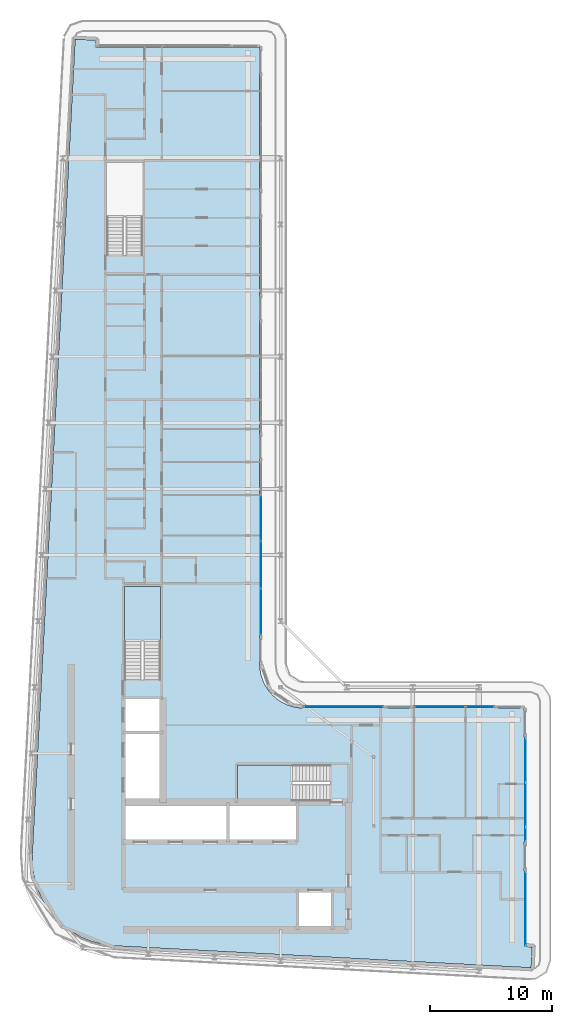
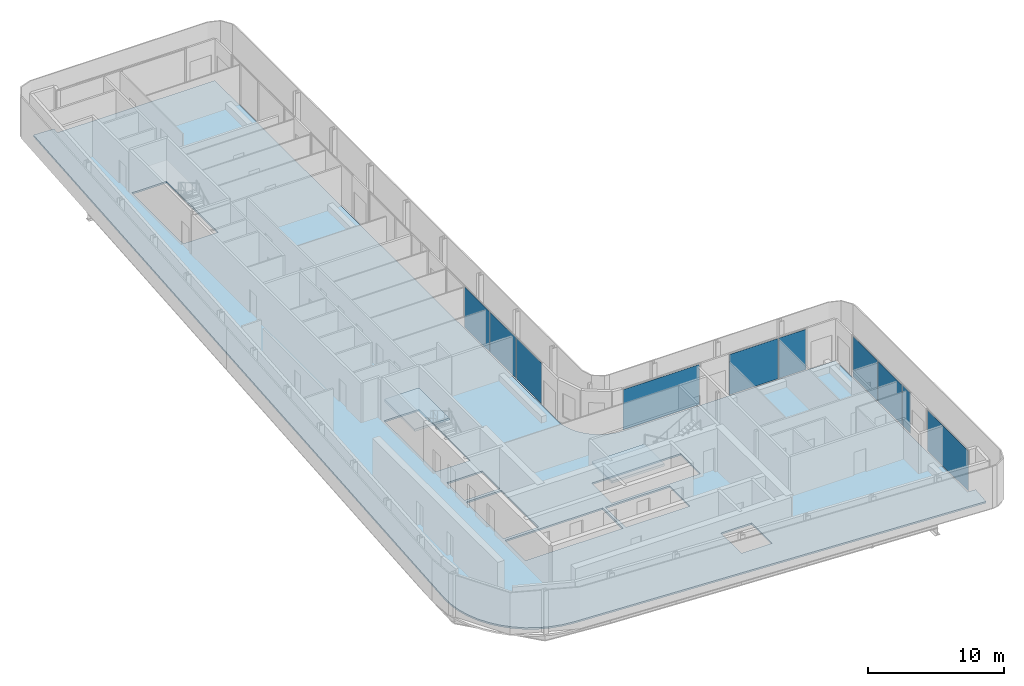
# One storey, part 9 of 21: 10 plates, 3 slabs, 9 elements without a shape of their own.
"""IFC4 building model written with IfcOpenShell, lengths in metres."""

import ifcopenshell
import ifcopenshell.guid

model = None  # the IFC model being written
_history = None  # IfcOwnerHistory: only IFC2X3 demands one
_inside = {}  # id of a spatial element -> (the spatial element, [elements in it])
_under = {}  # id of a project, library or spatial element -> (it, [spatial elements below it])
_declared = {}  # id of a project -> (the project, [libraries it declares])
_typed = {}  # id of a type object -> (the type object, [elements of that type])
_made_of = {}  # id of a material, layer set ... -> (it, [elements and type objects made of it])


def new_model(schema):
    """Start an empty IFC model of exactly this schema.

    Asked for "IFC4X3", IfcOpenShell would pick the latest addendum, in which some entities
    have other attributes; the version numbers below select the first issue.
    IFC2X3 requires an IfcOwnerHistory on every rooted entity: one is made here for all.
    """
    global model, _history
    if schema == "IFC4X3":
        model = ifcopenshell.file(schema_version=(4, 3, 0, 0))
    else:
        model = ifcopenshell.file(schema=schema)
    _inside.clear()
    _under.clear()
    _declared.clear()
    _typed.clear()
    _made_of.clear()
    _history = None
    if model.schema == "IFC2X3":
        org = make("IfcOrganization", Name="unknown")
        user = make(
            "IfcPersonAndOrganization",
            ThePerson=make("IfcPerson", FamilyName="unknown"),
            TheOrganization=org,
        )
        app = make(
            "IfcApplication",
            ApplicationDeveloper=org,
            Version="unknown",
            ApplicationFullName="unknown",
            ApplicationIdentifier="unknown",
        )
        _history = make(
            "IfcOwnerHistory",
            OwningUser=user,
            OwningApplication=app,
            ChangeAction="ADDED",
            CreationDate=0,
        )
    return model


def make(cls, **values):
    """One entity of the class cls with the attributes given. An attribute that is None is left unset."""
    return model.create_entity(
        cls, **{name: value for name, value in values.items() if value is not None}
    )


def rooted(cls, **values):
    """An entity with a GlobalId (a new one), such as an element, a storey or a relation."""
    return make(cls, GlobalId=ifcopenshell.guid.new(), OwnerHistory=_history, **values)


def si_unit(unit_type, name, prefix=None):
    """IfcSIUnit, for example si_unit("LENGTHUNIT", "METRE", prefix="MILLI")."""
    return make("IfcSIUnit", UnitType=unit_type, Prefix=prefix, Name=name)


def assignment(units):
    """IfcUnitAssignment: the units of a project."""
    return None if units is None else make("IfcUnitAssignment", Units=units)


def point(xyz):
    """IfcCartesianPoint."""
    return None if xyz is None else make("IfcCartesianPoint", Coordinates=xyz)


def direction(xyz):
    """IfcDirection."""
    return None if xyz is None else make("IfcDirection", DirectionRatios=xyz)


def frame(location, z_axis=None, x_axis=None):
    """IfcAxis2Placement3D, a coordinate frame: its origin and axes. An axis left out is left unset."""
    return make(
        "IfcAxis2Placement3D",
        Location=point(location),
        Axis=direction(z_axis),
        RefDirection=direction(x_axis),
    )


def frame_2d(location, x_axis=None):
    """IfcAxis2Placement2D, a coordinate frame in the plane: its origin and x axis."""
    return make(
        "IfcAxis2Placement2D", Location=point(location), RefDirection=direction(x_axis)
    )


def origin():
    """The frame at (0, 0, 0) with its axes left unset."""
    return frame((0.0, 0.0, 0.0))


def origin_2d():
    """The frame at (0, 0) in the plane with its x axis left unset."""
    return frame_2d((0.0, 0.0))


def place(relative_to, where):
    """IfcLocalPlacement: puts the frame where relative to a parent placement (None: the world)."""
    return make(
        "IfcLocalPlacement", PlacementRelTo=relative_to, RelativePlacement=where
    )


def context(
    kind, dimensions, precision=None, world=None, true_north=None, identifier=None
):
    """IfcGeometricRepresentationContext, for example the 3D "Model" context."""
    return make(
        "IfcGeometricRepresentationContext",
        ContextIdentifier=identifier,
        ContextType=kind,
        CoordinateSpaceDimension=dimensions,
        Precision=precision,
        WorldCoordinateSystem=world,
        TrueNorth=true_north,
    )


def subcontext(parent, identifier, kind, view, scale=None):
    """IfcGeometricRepresentationSubContext, for example "Body" below "Model"."""
    return make(
        "IfcGeometricRepresentationSubContext",
        ContextIdentifier=identifier,
        ContextType=kind,
        ParentContext=parent,
        TargetScale=scale,
        TargetView=view,
    )


def project(units=None, contexts=None):
    """IfcProject with its units and contexts."""
    return rooted(
        "IfcProject",
        Name="project",
        RepresentationContexts=contexts,
        UnitsInContext=assignment(units),
    )


def spatial(cls, under=None, at=None, **own):
    """A site, building, storey or space (cls), placed at a placement, below another one or the project."""
    s = rooted(cls, ObjectPlacement=at, **own)
    if under is not None:
        _under.setdefault(under.id(), (under, []))[1].append(s)
    return s


def polyline(points):
    """IfcPolyline through the points."""
    return make("IfcPolyline", Points=[point(p) for p in points])


def profile(cls, at=None, kind="AREA", **sizes):
    """A parametric profile (cls). Its sizes go by their IFC names, for example OverallWidth=200.0."""
    return make(cls, ProfileType=kind, Position=at, **sizes)


def rectangle(**sizes):
    """IfcRectangleProfileDef."""
    return profile("IfcRectangleProfileDef", **sizes)


def outline(outer, holes=None, kind="AREA"):
    """IfcArbitraryClosedProfileDef: a profile drawn as a closed curve; with holes, ...WithVoids."""
    if holes is None:
        return make("IfcArbitraryClosedProfileDef", ProfileType=kind, OuterCurve=outer)
    return make(
        "IfcArbitraryProfileDefWithVoids",
        ProfileType=kind,
        OuterCurve=outer,
        InnerCurves=holes,
    )


def extrude(swept, where, along, depth):
    """IfcExtrudedAreaSolid: the profile swept, set in the frame where, extruded along a direction by depth."""
    return make(
        "IfcExtrudedAreaSolid",
        SweptArea=swept,
        Position=where,
        ExtrudedDirection=direction(along),
        Depth=depth,
    )


def shape(context_of_items, identifier, shape_type, items):
    """IfcShapeRepresentation: the items that make up one representation, for example the "Body"."""
    return make(
        "IfcShapeRepresentation",
        ContextOfItems=context_of_items,
        RepresentationIdentifier=identifier,
        RepresentationType=shape_type,
        Items=items,
    )


def material(Name=None, Category=None):
    """IfcMaterial."""
    return make("IfcMaterial", Name=Name, Category=Category)


def layer(
    of_material, thickness, ventilated=None, Name=None, Category=None, Priority=None
):
    """IfcMaterialLayer: one layer of a wall or slab, of a material (None: an air gap)."""
    return make(
        "IfcMaterialLayer",
        Material=of_material,
        LayerThickness=thickness,
        IsVentilated=ventilated,
        Name=Name,
        Category=Category,
        Priority=Priority,
    )


def layer_set(layers, Name=None):
    """IfcMaterialLayerSet."""
    return make("IfcMaterialLayerSet", MaterialLayers=layers, LayerSetName=Name)


def made_of(thing, what):
    """Note that an element or type object is made of a material, layer set ...; save() writes the relation."""
    if what is not None:
        _made_of.setdefault(what.id(), (what, []))[1].append(thing)
    return thing


def type_object(cls, material=None, **own):
    """A type object (cls), such as IfcWallType, which elements share."""
    return made_of(rooted(cls, **own), material)


def element(
    cls,
    number,
    at=None,
    inside=None,
    cuts=None,
    type_object=None,
    material=None,
    context=None,
    identifier="Body",
    shape_type=None,
    held_by="IfcProductDefinitionShape",
    body=None,
    shapes=None,
    **own,
):
    """One element of the class cls, such as IfcWall. Its Tag is "e" and its number.

    at: its placement. inside: the storey or other place that contains it. cuts: it is an
    opening in that element (IfcRelVoidsElement). A single representation is given by context,
    identifier, shape_type and body (its items); several are given by shapes. held_by: the class
    of the entity that holds the representations. save() writes the other relations.
    """
    e = rooted(cls, Tag="e%d" % number, ObjectPlacement=at, **own)
    if body is not None:
        shapes = [shape(context, identifier, shape_type, body)]
    if shapes is not None:
        e.Representation = make(held_by, Representations=shapes)
    if inside is not None:
        _inside.setdefault(inside.id(), (inside, []))[1].append(e)
    if cuts is not None:
        rooted(
            "IfcRelVoidsElement", RelatingBuildingElement=cuts, RelatedOpeningElement=e
        )
    if type_object is not None:
        _typed.setdefault(type_object.id(), (type_object, []))[1].append(e)
    return made_of(e, material)


def aggregate(whole, parts):
    """IfcRelAggregates: a whole, such as a stair, and the parts it consists of."""
    return rooted("IfcRelAggregates", RelatingObject=whole, RelatedObjects=parts)


def save(model, path):
    """Write the relations noted so far, then the file.

    IfcRelAggregates (storeys below a building ...), IfcRelContainedInSpatialStructure (elements
    in a storey), IfcRelDefinesByType, IfcRelAssociatesMaterial and IfcRelDeclares: one each for
    every whole, place, type object, material and project.
    """
    for whole, parts in _under.values():
        aggregate(whole, parts)
    for where, things in _inside.values():
        rooted(
            "IfcRelContainedInSpatialStructure",
            RelatedElements=things,
            RelatingStructure=where,
        )
    for kind, things in _typed.values():
        rooted("IfcRelDefinesByType", RelatedObjects=things, RelatingType=kind)
    for what, things in _made_of.values():
        rooted("IfcRelAssociatesMaterial", RelatedObjects=things, RelatingMaterial=what)
    for by, libraries in _declared.values():
        rooted("IfcRelDeclares", RelatingContext=by, RelatedDefinitions=libraries)
    model.write(path)


model = new_model("IFC4")

# Units and contexts
model_context = context("Model", 3, precision=1e-05, world=origin(), true_north=direction((0.0, 1.0)))
body_context = subcontext(model_context, "Body", "Model", "MODEL_VIEW")
ifc_project = project(units=[si_unit("LENGTHUNIT", "METRE"), si_unit("AREAUNIT", "SQUARE_METRE"), si_unit("VOLUMEUNIT", "CUBIC_METRE"), si_unit("PLANEANGLEUNIT", "RADIAN"), si_unit("MASSUNIT", "GRAM", prefix="KILO")], contexts=[model_context])

# Site, building, storey
site_placement = place(None, origin())
site = spatial("IfcSite", under=ifc_project, at=site_placement, CompositionType="ELEMENT")
building_placement = place(site_placement, origin())
building = spatial("IfcBuilding", under=site, at=building_placement, Name="Kheshtan School and Residences Tower", CompositionType="ELEMENT")
storey_placement = place(building_placement, frame((0.0, 0.0, 305.89990234375)))
storey = spatial("IfcBuildingStorey", under=building, at=storey_placement, Name="L72", CompositionType="ELEMENT", Elevation=305.89990234375)

# Curtain wall, plate
ifc_material_1 = material(Name="Clear low-e glass in thermally broken aluminium frame", Category="aluminium")
ifc_layer_1 = layer(ifc_material_1, 0.199951171875)
ifc_layer_set_1 = layer_set([ifc_layer_1], Name="Curtain wall CW-L")
curtain_wall_type = type_object("IfcCurtainWallType", Name="Curtain wall CW-L", PredefinedType="NOTDEFINED", material=ifc_layer_set_1)
curtain_wall_1_placement = place(storey_placement, origin())
curtain_wall_1 = element("IfcCurtainWall", 1, at=curtain_wall_1_placement, inside=storey, type_object=curtain_wall_type, Name="Curtain wall CWL8k", PredefinedType="NOTDEFINED")
ifc_layer_2 = layer(ifc_material_1, 0.031982421875)
ifc_layer_set_2 = layer_set([ifc_layer_2], Name="CW-L glass panel")
plate_type = type_object("IfcPlateType", Name="CW-L glass panel", PredefinedType="CURTAIN_PANEL", material=ifc_layer_set_2)
plate_1_placement = place(storey_placement, frame((46.0, 59.427001953125, 0.000244140625), z_axis=(0.0, 0.0, 1.0), x_axis=(0.0, -1.0, 0.0)))
plate_1 = element("IfcPlate", 2, at=plate_1_placement, type_object=plate_type, Name="CWL8k panel 2.1", PredefinedType="CURTAIN_PANEL", context=body_context, shape_type="SweptSolid", body=[
    extrude(rectangle(XDim=3.68603515625, YDim=0.031982421875, at=origin_2d()), origin(), (0.0, 0.0, 1.0), 3.6298828125),
])
aggregate(curtain_wall_1, [plate_1])

# Curtain wall, plates
curtain_wall_2_placement = place(storey_placement, origin())
curtain_wall_2 = element("IfcCurtainWall", 3, at=curtain_wall_2_placement, inside=storey, type_object=curtain_wall_type, Name="Curtain wall CWL8", PredefinedType="NOTDEFINED")
plate_2_placement = place(storey_placement, frame((46.0, 55.615478515625, 0.000244140625), z_axis=(0.0, 0.0, 1.0), x_axis=(0.0, -1.0, 0.0)))
plate_2 = element("IfcPlate", 4, at=plate_2_placement, type_object=plate_type, Name="CWL8 panel 1.1", PredefinedType="CURTAIN_PANEL", context=body_context, shape_type="SweptSolid", body=[
    extrude(rectangle(XDim=3.81689453125, YDim=0.031982421875, at=origin_2d()), origin(), (0.0, 0.0, 1.0), 3.6298828125),
])
plate_3_placement = place(storey_placement, frame((46.0, 51.7685546875, 0.000244140625), z_axis=(0.0, 0.0, 1.0), x_axis=(0.0, -1.0, 0.0)))
plate_3 = element("IfcPlate", 5, at=plate_3_placement, type_object=plate_type, Name="CWL8 panel 2.1", PredefinedType="CURTAIN_PANEL", context=body_context, shape_type="SweptSolid", body=[
    extrude(rectangle(XDim=3.757080078125, YDim=0.031982421875, at=origin_2d()), origin(), (0.0, 0.0, 1.0), 3.6298828125),
])
aggregate(curtain_wall_2, [plate_2, plate_3])

# Curtain wall, plate
curtain_wall_3_placement = place(storey_placement, origin())
curtain_wall_3 = element("IfcCurtainWall", 6, at=curtain_wall_3_placement, inside=storey, type_object=curtain_wall_type, Name="Curtain wall CWL1233", PredefinedType="NOTDEFINED")
plate_4_placement = place(storey_placement, frame((52.74755859375, 44.0, 0.000244140625), z_axis=(0.0, 0.0, 1.0), x_axis=(1.0, 0.0, 0.0)))
plate_4 = element("IfcPlate", 7, at=plate_4_placement, type_object=plate_type, Name="CWL1233 panel 1.1", PredefinedType="CURTAIN_PANEL", context=body_context, shape_type="SweptSolid", body=[
    extrude(rectangle(XDim=6.514892578125, YDim=0.031982421875, at=origin_2d()), origin(), (0.0, 0.0, 1.0), 3.6298828125),
])
aggregate(curtain_wall_3, [plate_4])

# Curtain wall, plates
curtain_wall_4_placement = place(storey_placement, origin())
curtain_wall_4 = element("IfcCurtainWall", 8, at=curtain_wall_4_placement, inside=storey, type_object=curtain_wall_type, Name="Curtain wall CWL1234", PredefinedType="NOTDEFINED")
plate_5_placement = place(storey_placement, frame((60.597412109375, 44.0, 0.000244140625), z_axis=(0.0, 0.0, 1.0), x_axis=(1.0, 0.0, 0.0)))
plate_5 = element("IfcPlate", 9, at=plate_5_placement, type_object=plate_type, Name="CWL1234 panel 1.1", PredefinedType="CURTAIN_PANEL", context=body_context, shape_type="SweptSolid", body=[
    extrude(rectangle(XDim=4.14501953125, YDim=0.031982421875, at=origin_2d()), origin(), (0.0, 0.0, 1.0), 3.6298828125),
])
plate_6_placement = place(storey_placement, frame((63.885009765625, 44.0, 0.000244140625), z_axis=(0.0, 0.0, 1.0), x_axis=(1.0, 0.0, 0.0)))
plate_6 = element("IfcPlate", 10, at=plate_6_placement, type_object=plate_type, Name="CWL1234 panel 2.1", PredefinedType="CURTAIN_PANEL", context=body_context, shape_type="SweptSolid", body=[
    extrude(rectangle(XDim=2.31005859375, YDim=0.031982421875, at=origin_2d()), origin(), (0.0, 0.0, 1.0), 3.6298828125),
])
aggregate(curtain_wall_4, [plate_5, plate_6])

curtain_wall_5_placement = place(storey_placement, origin())
curtain_wall_5 = element("IfcCurtainWall", 11, at=curtain_wall_5_placement, inside=storey, type_object=curtain_wall_type, Name="Curtain wall CWL13e", PredefinedType="NOTDEFINED")
plate_7_placement = place(storey_placement, frame((67.60009765625, 39.64990234375, 0.000244140625), z_axis=(0.0, 0.0, 1.0), x_axis=(0.0, -1.0, 0.0)))
plate_7 = element("IfcPlate", 12, at=plate_7_placement, type_object=plate_type, Name="CWL13e panel 1.1", PredefinedType="CURTAIN_PANEL", context=body_context, shape_type="SweptSolid", body=[
    extrude(rectangle(XDim=3.580322265625, YDim=0.031982421875, at=origin_2d()), origin(), (0.0, 0.0, 1.0), 3.6298828125),
])
plate_8_placement = place(storey_placement, frame((67.60009765625, 36.009521484375, 0.000244140625), z_axis=(0.0, 0.0, 1.0), x_axis=(0.0, -1.0, 0.0)))
plate_8 = element("IfcPlate", 13, at=plate_8_placement, type_object=plate_type, Name="CWL13e panel 2.1", PredefinedType="CURTAIN_PANEL", context=body_context, shape_type="SweptSolid", body=[
    extrude(rectangle(XDim=3.580322265625, YDim=0.031982421875, at=origin_2d()), origin(), (0.0, 0.0, 1.0), 3.6298828125),
])
aggregate(curtain_wall_5, [plate_7, plate_8])

# Curtain wall, plate
curtain_wall_6_placement = place(storey_placement, origin())
curtain_wall_6 = element("IfcCurtainWall", 14, at=curtain_wall_6_placement, inside=storey, type_object=curtain_wall_type, Name="Curtain wall CWL13f", PredefinedType="NOTDEFINED")
plate_9_placement = place(storey_placement, frame((67.60009765625, 33.589599609375, 0.000244140625), z_axis=(0.0, 0.0, 1.0), x_axis=(0.0, -1.0, 0.0)))
plate_9 = element("IfcPlate", 15, at=plate_9_placement, type_object=plate_type, Name="CWL13f panel 1.1", PredefinedType="CURTAIN_PANEL", context=body_context, shape_type="SweptSolid", body=[
    extrude(rectangle(XDim=1.139892578125, YDim=0.031982421875, at=origin_2d()), origin(), (0.0, 0.0, 1.0), 3.6298828125),
])
aggregate(curtain_wall_6, [plate_9])

curtain_wall_7_placement = place(storey_placement, origin())
curtain_wall_7 = element("IfcCurtainWall", 16, at=curtain_wall_7_placement, inside=storey, type_object=curtain_wall_type, Name="Curtain wall CWL13g", PredefinedType="NOTDEFINED")
plate_10_placement = place(storey_placement, frame((67.60009765625, 27.4892578125, 0.000244140625), z_axis=(0.0, 0.0, 1.0), x_axis=(0.0, -1.0, 0.0)))
plate_10 = element("IfcPlate", 17, at=plate_10_placement, type_object=plate_type, Name="CWL13g panel 1.1", PredefinedType="CURTAIN_PANEL", context=body_context, shape_type="SweptSolid", body=[
    extrude(rectangle(XDim=6.0205078125, YDim=0.031982421875, at=origin_2d()), origin(), (0.0, 0.0, 1.0), 3.6298828125),
])
aggregate(curtain_wall_7, [plate_10])

# Slab
ifc_material_2 = material(Name="Concrete C40/50", Category="concrete")
ifc_layer_3 = layer(ifc_material_2, 0.14990234375)
ifc_layer_set_3 = layer_set([ifc_layer_3], Name="Floor slab 150 Concrete C40/50")
slab_type_1 = type_object("IfcSlabType", Name="Floor slab 150 Concrete C40/50", PredefinedType="FLOOR", material=ifc_layer_set_3)
slab_1_placement = place(storey_placement, frame((0.0, 0.0, -0.14990234375)))
element("IfcSlab", 18, at=slab_1_placement, inside=storey, type_object=slab_type_1, Name="Floor slab L72", PredefinedType="FLOOR", context=body_context, shape_type="SweptSolid", body=[
    extrude(outline(polyline([(28.55908203125, 27.550048828125), (28.0849609375, 28.345947265625), (27.718017578125, 29.200927734375), (27.466064453125, 30.093017578125), (27.466064453125, 30.093994140625), (27.3330078125, 31.013916015625), (27.320068359375, 31.965087890625), (27.320068359375, 31.970947265625), (30.822021484375, 98.5009765625), (30.822998046875, 98.508056640625), (30.825927734375, 98.531005859375), (30.825927734375, 98.531982421875), (30.826904296875, 98.531982421875), (31.422119140625, 98.5), (31.423095703125, 98.5), (31.423095703125, 98.4990234375), (31.423095703125, 98.4951171875), (31.423095703125, 98.493896484375), (31.424072265625, 98.493896484375), (31.424072265625, 98.492919921875), (31.425048828125, 98.492919921875), (31.426025390625, 98.492919921875), (31.426025390625, 98.493896484375), (31.427978515625, 98.49609375), (31.428955078125, 98.4970703125), (31.429931640625, 98.498046875), (31.430908203125, 98.498046875), (31.430908203125, 98.4990234375), (31.431884765625, 98.4990234375), (31.431884765625, 98.5), (31.43505859375, 98.5009765625), (31.43603515625, 98.501953125), (31.43896484375, 98.501953125), (31.43994140625, 98.501953125), (31.43994140625, 98.5029296875), (31.44091796875, 98.5029296875), (31.446044921875, 98.5029296875), (32.5009765625, 98.447021484375), (32.50390625, 98.447021484375), (32.5048828125, 98.447021484375), (32.5048828125, 98.446044921875), (32.506103515625, 98.446044921875), (32.510009765625, 98.446044921875), (32.510009765625, 98.445068359375), (32.510986328125, 98.445068359375), (32.510986328125, 98.444091796875), (32.511962890625, 98.444091796875), (32.511962890625, 98.443115234375), (32.512939453125, 98.443115234375), (32.513916015625, 98.443115234375), (32.513916015625, 98.44189453125), (32.514892578125, 98.44189453125), (32.51611328125, 98.44189453125), (32.51904296875, 98.43896484375), (32.51904296875, 98.43798828125), (32.51904296875, 98.43701171875), (32.52001953125, 98.43701171875), (32.52001953125, 98.43603515625), (32.52099609375, 98.43603515625), (32.52099609375, 98.43408203125), (32.52099609375, 98.43310546875), (32.52197265625, 98.43310546875), (32.52197265625, 98.431884765625), (32.52294921875, 98.431884765625), (32.52294921875, 98.430908203125), (32.52294921875, 98.428955078125), (32.52294921875, 98.427978515625), (32.52392578125, 98.427978515625), (32.52392578125, 98.427001953125), (32.52392578125, 98.422119140625), (32.4970703125, 97.9208984375), (32.4970703125, 97.91796875), (32.4970703125, 97.9169921875), (32.49609375, 97.9169921875), (32.49609375, 97.916015625), (32.49609375, 97.912109375), (32.4951171875, 97.910888671875), (32.4951171875, 97.909912109375), (32.493896484375, 97.909912109375), (32.493896484375, 97.908935546875), (32.492919921875, 97.908935546875), (32.492919921875, 97.907958984375), (32.489013671875, 97.904052734375), (32.488037109375, 97.904052734375), (32.488037109375, 97.903076171875), (32.488037109375, 97.902099609375), (32.488037109375, 97.90087890625), (32.489013671875, 97.90087890625), (32.489013671875, 97.89990234375), (32.489990234375, 97.89990234375), (45.85498046875, 97.89990234375), (45.864990234375, 97.89794921875), (45.865966796875, 97.89794921875), (45.868896484375, 97.89599609375), (45.8740234375, 97.89404296875), (45.8779296875, 97.89208984375), (45.881103515625, 97.889892578125), (45.881103515625, 97.888916015625), (45.882080078125, 97.888916015625), (45.882080078125, 97.887939453125), (45.883056640625, 97.887939453125), (45.884033203125, 97.885009765625), (45.885009765625, 97.885009765625), (45.885009765625, 97.884033203125), (45.887939453125, 97.883056640625), (45.887939453125, 97.882080078125), (45.888916015625, 97.882080078125), (45.888916015625, 97.881103515625), (45.889892578125, 97.881103515625), (45.89208984375, 97.8779296875), (45.89404296875, 97.8740234375), (45.89599609375, 97.868896484375), (45.89794921875, 97.865966796875), (45.89794921875, 97.864990234375), (45.89990234375, 97.85498046875), (45.89990234375, 47.429931640625), (45.927001953125, 47.030029296875), (46.01806640625, 46.570068359375), (46.01806640625, 46.569091796875), (46.169921875, 46.1201171875), (46.37890625, 45.697021484375), (46.638916015625, 45.30810546875), (46.949951171875, 44.950927734375), (46.950927734375, 44.949951171875), (47.30810546875, 44.638916015625), (47.697021484375, 44.37890625), (48.1201171875, 44.169921875), (48.569091796875, 44.01806640625), (48.570068359375, 44.01806640625), (49.030029296875, 43.927001953125), (49.429931640625, 43.89990234375), (67.455078125, 43.89990234375), (67.4599609375, 43.89892578125), (67.465087890625, 43.89794921875), (67.466064453125, 43.89794921875), (67.468994140625, 43.89599609375), (67.47412109375, 43.89404296875), (67.47802734375, 43.89208984375), (67.48095703125, 43.889892578125), (67.48095703125, 43.888916015625), (67.48193359375, 43.888916015625), (67.48193359375, 43.887939453125), (67.48291015625, 43.887939453125), (67.48388671875, 43.885009765625), (67.485107421875, 43.885009765625), (67.485107421875, 43.884033203125), (67.488037109375, 43.883056640625), (67.488037109375, 43.882080078125), (67.489013671875, 43.882080078125), (67.489013671875, 43.881103515625), (67.489990234375, 43.881103515625), (67.491943359375, 43.8779296875), (67.493896484375, 43.8740234375), (67.49609375, 43.868896484375), (67.498046875, 43.865966796875), (67.498046875, 43.864990234375), (67.4990234375, 43.860107421875), (67.5, 43.85498046875), (67.5, 24.4140625), (67.5, 24.4130859375), (67.5009765625, 24.4130859375), (67.5009765625, 24.412109375), (67.501953125, 24.412109375), (67.5029296875, 24.412109375), (67.5029296875, 24.4130859375), (67.5048828125, 24.4150390625), (67.507080078125, 24.4169921875), (67.508056640625, 24.4169921875), (67.508056640625, 24.41796875), (67.509033203125, 24.41796875), (67.509033203125, 24.4189453125), (67.510009765625, 24.4189453125), (67.511962890625, 24.419921875), (67.512939453125, 24.4208984375), (67.51611328125, 24.4208984375), (67.51708984375, 24.4208984375), (67.51708984375, 24.422119140625), (67.51806640625, 24.422119140625), (67.52294921875, 24.422119140625), (68.137939453125, 24.388916015625), (68.14111328125, 24.388916015625), (68.14208984375, 24.388916015625), (68.14208984375, 24.387939453125), (68.14306640625, 24.387939453125), (68.14697265625, 24.387939453125), (68.14697265625, 24.386962890625), (68.14794921875, 24.386962890625), (68.14794921875, 24.385986328125), (68.14892578125, 24.385986328125), (68.14892578125, 24.385009765625), (68.14990234375, 24.385009765625), (68.15087890625, 24.385009765625), (68.15087890625, 24.384033203125), (68.152099609375, 24.384033203125), (68.153076171875, 24.384033203125), (68.153076171875, 24.383056640625), (68.155029296875, 24.381103515625), (68.156005859375, 24.381103515625), (68.156005859375, 24.3798828125), (68.156005859375, 24.37890625), (68.156982421875, 24.37890625), (68.156982421875, 24.3779296875), (68.157958984375, 24.3779296875), (68.157958984375, 24.3759765625), (68.157958984375, 24.375), (68.158935546875, 24.375), (68.158935546875, 24.3740234375), (68.159912109375, 24.3740234375), (68.159912109375, 24.373046875), (68.159912109375, 24.37109375), (68.159912109375, 24.3701171875), (68.160888671875, 24.3701171875), (68.160888671875, 24.368896484375), (68.160888671875, 24.364013671875), (68.10498046875, 23.306884765625), (68.10498046875, 23.303955078125), (68.10498046875, 23.302978515625), (68.10400390625, 23.302978515625), (68.10400390625, 23.302001953125), (68.10400390625, 23.298095703125), (68.10302734375, 23.297119140625), (68.10302734375, 23.2958984375), (68.10205078125, 23.2958984375), (68.10205078125, 23.294921875), (68.10107421875, 23.294921875), (68.10107421875, 23.2939453125), (68.10009765625, 23.29296875), (68.097900390625, 23.291015625), (68.096923828125, 23.2900390625), (68.095947265625, 23.2900390625), (68.095947265625, 23.2890625), (68.095947265625, 23.2880859375), (68.095947265625, 23.287109375), (68.096923828125, 23.287109375), (68.096923828125, 23.285888671875), (68.097900390625, 23.285888671875), (68.09912109375, 23.285888671875), (68.10009765625, 23.285888671875), (68.10009765625, 23.284912109375), (68.068115234375, 22.68994140625), (68.068115234375, 22.68896484375), (68.06689453125, 22.68896484375), (68.04296875, 22.68798828125), (68.0380859375, 22.68798828125), (34.056884765625, 24.47802734375), (33.114990234375, 24.590087890625), (32.215087890625, 24.819091796875), (32.214111328125, 24.819091796875), (31.35205078125, 25.1630859375), (30.541015625, 25.616943359375), (29.799072265625, 26.1708984375), (29.799072265625, 26.172119140625), (29.798095703125, 26.172119140625), (29.134033203125, 26.820068359375), (29.134033203125, 26.821044921875), (29.133056640625, 26.821044921875), (28.55908203125, 27.550048828125)]), holes=[polyline([(67.5009765625, 23.29296875), (67.5, 23.29296875), (67.5, 23.2919921875), (67.5, 23.2880859375), (67.5, 23.287109375), (67.5009765625, 23.287109375), (67.5009765625, 23.285888671875), (67.501953125, 23.285888671875), (67.506103515625, 23.285888671875), (67.507080078125, 23.285888671875), (67.507080078125, 23.287109375), (67.508056640625, 23.287109375), (67.508056640625, 23.2880859375), (67.508056640625, 23.2890625), (67.507080078125, 23.2890625), (67.506103515625, 23.2900390625), (67.5048828125, 23.291015625), (67.5029296875, 23.29296875), (67.5029296875, 23.2939453125), (67.501953125, 23.2939453125), (67.5009765625, 23.2939453125), (67.5009765625, 23.29296875)]), polyline([(31.424072265625, 97.906982421875), (31.423095703125, 97.906982421875), (31.423095703125, 97.906005859375), (31.423095703125, 97.902099609375), (31.423095703125, 97.90087890625), (31.424072265625, 97.90087890625), (31.424072265625, 97.89990234375), (31.425048828125, 97.89990234375), (31.428955078125, 97.89990234375), (31.429931640625, 97.89990234375), (31.429931640625, 97.90087890625), (31.430908203125, 97.90087890625), (31.430908203125, 97.902099609375), (31.430908203125, 97.903076171875), (31.429931640625, 97.903076171875), (31.428955078125, 97.904052734375), (31.427978515625, 97.905029296875), (31.427001953125, 97.906005859375), (31.426025390625, 97.906982421875), (31.426025390625, 97.907958984375), (31.425048828125, 97.907958984375), (31.424072265625, 97.907958984375), (31.424072265625, 97.906982421875)]), polyline([(51.72509765625, 28.925048828125), (49.125, 28.925048828125), (49.125, 25.925048828125), (51.72509765625, 25.925048828125), (51.72509765625, 28.925048828125)]), polyline([(43.175048828125, 33.074951171875), (43.175048828125, 36.074951171875), (34.875, 36.074951171875), (34.875, 33.074951171875), (43.175048828125, 33.074951171875)]), polyline([(43.425048828125, 36.074951171875), (43.425048828125, 33.074951171875), (48.875, 33.074951171875), (48.875, 36.074951171875), (43.425048828125, 36.074951171875)]), polyline([(51.64990234375, 37.699951171875), (51.64990234375, 39.25), (44.090087890625, 39.25), (44.090087890625, 36.300048828125), (51.639892578125, 36.300048828125), (51.639892578125, 37.699951171875), (51.64990234375, 37.699951171875)]), polyline([(37.875, 41.77490234375), (34.875, 41.77490234375), (34.875, 36.324951171875), (37.875, 36.324951171875), (37.875, 41.77490234375)]), polyline([(37.875, 44.625), (34.875, 44.625), (34.875, 42.02490234375), (37.875, 42.02490234375), (37.875, 44.625)]), polyline([(37.800048828125, 53.81005859375), (34.85009765625, 53.81005859375), (34.85009765625, 46.260009765625), (36.25, 46.260009765625), (36.25, 46.25), (37.800048828125, 46.25), (37.800048828125, 53.81005859375)]), polyline([(36.35009765625, 88.4599609375), (33.39990234375, 88.4599609375), (33.39990234375, 80.909912109375), (34.800048828125, 80.909912109375), (34.800048828125, 80.89990234375), (36.35009765625, 80.89990234375), (36.35009765625, 88.4599609375)])]), origin(), (0.0, 0.0, 1.0), 0.14990234375),
])

# Stair, slab
stair_type = type_object("IfcStairType", Name="Exit stair, half-turn", PredefinedType="HALF_TURN_STAIR", material=ifc_material_2)
stair_1_placement = place(storey_placement, origin())
stair_1 = element("IfcStair", 19, at=stair_1_placement, inside=storey, type_object=stair_type, Name="L72 Protected Exit Stair ST1", PredefinedType="HALF_TURN_STAIR")
ifc_layer_4 = layer(ifc_material_2, 0.199951171875)
ifc_layer_set_4 = layer_set([ifc_layer_4], Name="Stair landing 200 Concrete C40/50")
slab_type_2 = type_object("IfcSlabType", Name="Stair landing 200 Concrete C40/50", PredefinedType="LANDING", material=ifc_layer_set_4)
slab_2_placement = place(storey_placement, frame((0.0, 0.0, 1.75)))
slab_2 = element("IfcSlab", 20, at=slab_2_placement, type_object=slab_type_2, Name="ST1 landing 1", PredefinedType="LANDING", context=body_context, shape_type="SweptSolid", body=[
    extrude(outline(polyline([(48.570068359375, 39.25), (44.090087890625, 39.25), (44.090087890625, 36.300048828125), (48.570068359375, 36.300048828125), (48.570068359375, 39.25)])), origin(), (0.0, 0.0, 1.0), 0.2001953125),
])
aggregate(stair_1, [slab_2])

stair_2_placement = place(storey_placement, origin())
stair_2 = element("IfcStair", 21, at=stair_2_placement, inside=storey, type_object=stair_type, Name="L72 Protected Exit Stair ST2", PredefinedType="HALF_TURN_STAIR")
slab_3_placement = place(storey_placement, frame((0.0, 0.0, 1.75)))
slab_3 = element("IfcSlab", 22, at=slab_3_placement, type_object=slab_type_2, Name="ST2 landing 1", PredefinedType="LANDING", context=body_context, shape_type="SweptSolid", body=[
    extrude(outline(polyline([(37.800048828125, 49.330078125), (37.800048828125, 53.81005859375), (34.85009765625, 53.81005859375), (34.85009765625, 49.330078125), (37.800048828125, 49.330078125)])), origin(), (0.0, 0.0, 1.0), 0.2001953125),
])
aggregate(stair_2, [slab_3])

save(model, "model.ifc")
